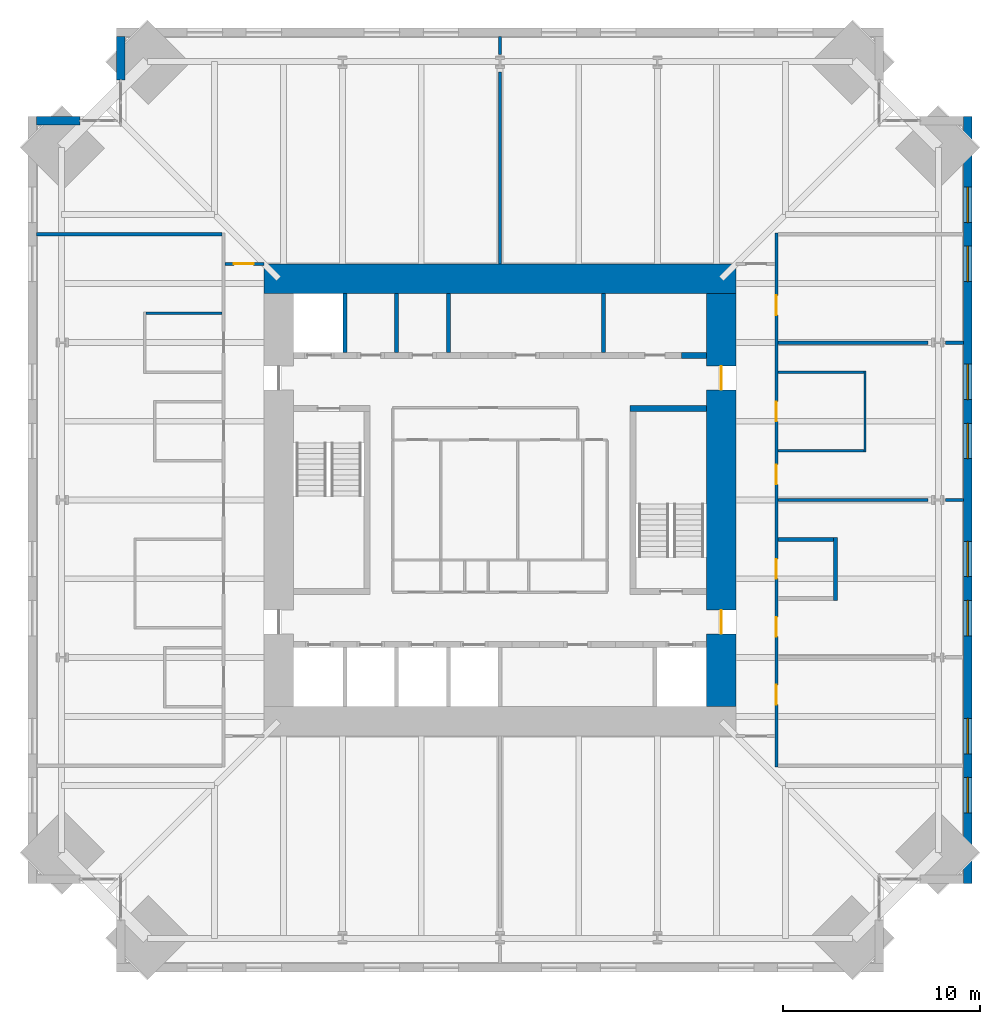
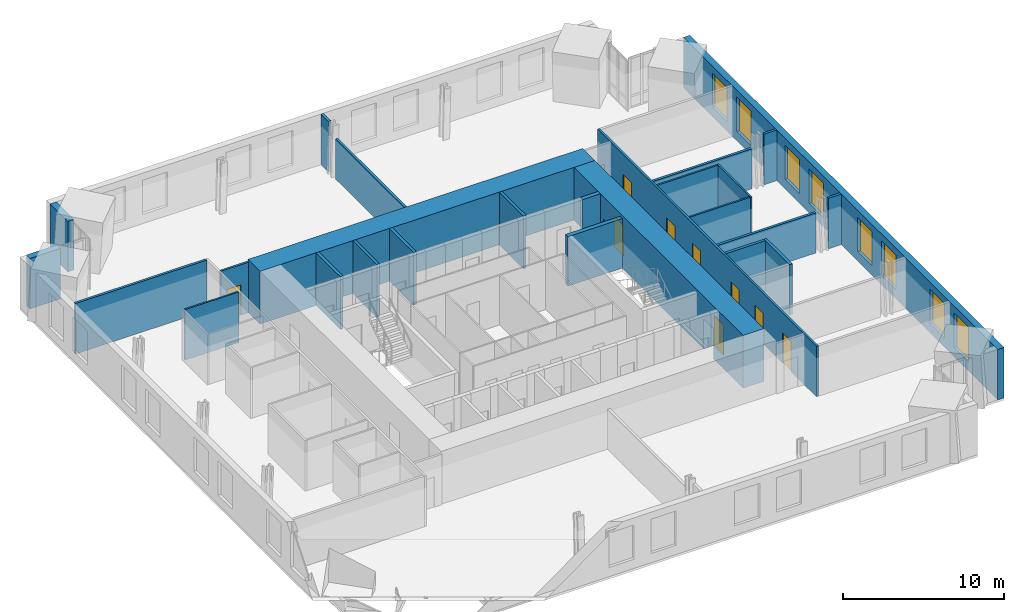
# One storey, part 13 of 15: 26 walls, 9 doors, 8 windows, 17 openings.
"""IFC4 building model written with IfcOpenShell, lengths in metres."""

from ifc_helpers import new_model, si_unit, direction, frame, frame_2d, origin, place, context, subcontext, project, spatial, rectangle, extrude, material, layer, layer_set, type_object, element, fill, save


model = new_model("IFC4")

# Units and contexts
model_context = context("Model", 3, precision=1e-05, world=origin(), true_north=direction((0.0, 1.0)))
body_context = subcontext(model_context, "Body", "Model", "MODEL_VIEW")
ifc_project = project(units=[si_unit("LENGTHUNIT", "METRE"), si_unit("AREAUNIT", "SQUARE_METRE"), si_unit("VOLUMEUNIT", "CUBIC_METRE"), si_unit("PLANEANGLEUNIT", "RADIAN"), si_unit("MASSUNIT", "GRAM", prefix="KILO")], contexts=[model_context])

# Site, building, storey
site_placement = place(None, origin())
site = spatial("IfcSite", under=ifc_project, at=site_placement, CompositionType="ELEMENT")
building_placement = place(site_placement, origin())
building = spatial("IfcBuilding", under=site, at=building_placement, Name="Peilmerk Tower", CompositionType="ELEMENT")
storey_placement = place(building_placement, frame((0.0, 0.0, 213.800048828125)))
storey = spatial("IfcBuildingStorey", under=building, at=storey_placement, Name="L46", CompositionType="ELEMENT", Elevation=213.800048828125)

# Wall, openings, windows
ifc_material_1 = material(Name="Precast concrete C45/55, board-marked finish", Category="concrete")
ifc_layer_1 = layer(ifc_material_1, 0.449951171875)
ifc_layer_set_1 = layer_set([ifc_layer_1], Name="Precast concrete C45/55, board-marked finish")
wall_type_1 = type_object("IfcWallType", Name="EW1 450 precast concrete facade wall, board-marked", PredefinedType="SOLIDWALL", material=ifc_layer_set_1)
wall_1_placement = place(storey_placement, frame((23.77490234375, -19.5, 0.0), z_axis=(0.0, 0.0, 1.0), x_axis=(0.0, 1.0, 0.0)))
wall_1 = element("IfcWall", 1, at=wall_1_placement, inside=storey, type_object=wall_type_1, Name="Facade wall E L46", PredefinedType="SOLIDWALL", context=body_context, shape_type="SweptSolid", body=[
    extrude(rectangle(XDim=39.0, YDim=0.449951171875, at=frame_2d((19.5, 0.0))), origin(), (0.0, 0.0, 1.0), 3.829833984375),
])
opening_1_placement = place(wall_1_placement, frame((3.60009765625, 0.0, 0.699951171875)))
opening_1 = element("IfcOpeningElement", 2, at=opening_1_placement, cuts=wall_1, Name="Opening W1", PredefinedType="OPENING", context=body_context, shape_type="SweptSolid", body=[
    extrude(rectangle(XDim=1.800048828125, YDim=2.60009765625, at=frame_2d((0.89990234375, 1.300048828125))), frame((0.0, 0.23486328125, 0.0), z_axis=(0.0, -1.0, 0.0), x_axis=(1.0, 0.0, 0.0)), (0.0, 0.0, 1.0), 0.469970703125),
])
opening_2_placement = place(wall_1_placement, frame((6.60009765625, 0.0, 0.699951171875)))
opening_2 = element("IfcOpeningElement", 3, at=opening_2_placement, cuts=wall_1, Name="Opening W1", PredefinedType="OPENING", context=body_context, shape_type="SweptSolid", body=[
    extrude(rectangle(XDim=1.800048828125, YDim=2.60009765625, at=frame_2d((0.89990234375, 1.300048828125))), frame((0.0, 0.23486328125, 0.0), z_axis=(0.0, -1.0, 0.0), x_axis=(1.0, 0.0, 0.0)), (0.0, 0.0, 1.0), 0.469970703125),
])
opening_3_placement = place(wall_1_placement, frame((12.60009765625, 0.0, 0.699951171875)))
opening_3 = element("IfcOpeningElement", 4, at=opening_3_placement, cuts=wall_1, Name="Opening W1", PredefinedType="OPENING", context=body_context, shape_type="SweptSolid", body=[
    extrude(rectangle(XDim=1.800048828125, YDim=2.60009765625, at=frame_2d((0.89990234375, 1.300048828125))), frame((0.0, 0.23486328125, 0.0), z_axis=(0.0, -1.0, 0.0), x_axis=(1.0, 0.0, 0.0)), (0.0, 0.0, 1.0), 0.469970703125),
])
opening_4_placement = place(wall_1_placement, frame((15.60009765625, 0.0, 0.699951171875)))
opening_4 = element("IfcOpeningElement", 5, at=opening_4_placement, cuts=wall_1, Name="Opening W1", PredefinedType="OPENING", context=body_context, shape_type="SweptSolid", body=[
    extrude(rectangle(XDim=1.800048828125, YDim=2.60009765625, at=frame_2d((0.89990234375, 1.300048828125))), frame((0.0, 0.23486328125, 0.0), z_axis=(0.0, -1.0, 0.0), x_axis=(1.0, 0.0, 0.0)), (0.0, 0.0, 1.0), 0.469970703125),
])
opening_5_placement = place(wall_1_placement, frame((21.60009765625, 0.0, 0.699951171875)))
opening_5 = element("IfcOpeningElement", 6, at=opening_5_placement, cuts=wall_1, Name="Opening W1", PredefinedType="OPENING", context=body_context, shape_type="SweptSolid", body=[
    extrude(rectangle(XDim=1.800048828125, YDim=2.60009765625, at=frame_2d((0.89990234375, 1.300048828125))), frame((0.0, 0.23486328125, 0.0), z_axis=(0.0, -1.0, 0.0), x_axis=(1.0, 0.0, 0.0)), (0.0, 0.0, 1.0), 0.469970703125),
])
opening_6_placement = place(wall_1_placement, frame((24.60009765625, 0.0, 0.699951171875)))
opening_6 = element("IfcOpeningElement", 7, at=opening_6_placement, cuts=wall_1, Name="Opening W1", PredefinedType="OPENING", context=body_context, shape_type="SweptSolid", body=[
    extrude(rectangle(XDim=1.800048828125, YDim=2.60009765625, at=frame_2d((0.89990234375, 1.300048828125))), frame((0.0, 0.23486328125, 0.0), z_axis=(0.0, -1.0, 0.0), x_axis=(1.0, 0.0, 0.0)), (0.0, 0.0, 1.0), 0.469970703125),
])
opening_7_placement = place(wall_1_placement, frame((30.60009765625, 0.0, 0.699951171875)))
opening_7 = element("IfcOpeningElement", 8, at=opening_7_placement, cuts=wall_1, Name="Opening W1", PredefinedType="OPENING", context=body_context, shape_type="SweptSolid", body=[
    extrude(rectangle(XDim=1.800048828125, YDim=2.60009765625, at=frame_2d((0.89990234375, 1.300048828125))), frame((0.0, 0.23486328125, 0.0), z_axis=(0.0, -1.0, 0.0), x_axis=(1.0, 0.0, 0.0)), (0.0, 0.0, 1.0), 0.469970703125),
])
opening_8_placement = place(wall_1_placement, frame((33.60009765625, 0.0, 0.699951171875)))
opening_8 = element("IfcOpeningElement", 9, at=opening_8_placement, cuts=wall_1, Name="Opening W1", PredefinedType="OPENING", context=body_context, shape_type="SweptSolid", body=[
    extrude(rectangle(XDim=1.800048828125, YDim=2.60009765625, at=frame_2d((0.89990234375, 1.300048828125))), frame((0.0, 0.23486328125, 0.0), z_axis=(0.0, -1.0, 0.0), x_axis=(1.0, 0.0, 0.0)), (0.0, 0.0, 1.0), 0.469970703125),
])
ifc_material_2 = material(Name="Aluminium frame, clear double glazing", Category="aluminium")
window_type = type_object("IfcWindowType", Name="W1 1800x2600 office window", PartitioningType="SINGLE_PANEL", PredefinedType="WINDOW", material=ifc_material_2)
window_1_placement = place(opening_1_placement, origin())
window_1 = element("IfcWindow", 10, at=window_1_placement, inside=storey, type_object=window_type, Name="Window W1 L46", OverallHeight=2.60009765625, OverallWidth=1.800048828125, PartitioningType="SINGLE_PANEL", PredefinedType="WINDOW", context=body_context, shape_type="SweptSolid", body=[
    extrude(rectangle(XDim=1.800048828125, YDim=2.60009765625, at=frame_2d((0.89990234375, 1.300048828125))), frame((0.0, 0.030029296875, 0.0), z_axis=(0.0, -1.0, 0.0), x_axis=(1.0, 0.0, 0.0)), (0.0, 0.0, 1.0), 0.06005859375),
])
fill(opening_1, window_1)
window_2_placement = place(opening_2_placement, origin())
window_2 = element("IfcWindow", 11, at=window_2_placement, inside=storey, type_object=window_type, Name="Window W1 L46", OverallHeight=2.60009765625, OverallWidth=1.800048828125, PartitioningType="SINGLE_PANEL", PredefinedType="WINDOW", context=body_context, shape_type="SweptSolid", body=[
    extrude(rectangle(XDim=1.800048828125, YDim=2.60009765625, at=frame_2d((0.89990234375, 1.300048828125))), frame((0.0, 0.030029296875, 0.0), z_axis=(0.0, -1.0, 0.0), x_axis=(1.0, 0.0, 0.0)), (0.0, 0.0, 1.0), 0.06005859375),
])
fill(opening_2, window_2)
window_3_placement = place(opening_3_placement, origin())
window_3 = element("IfcWindow", 12, at=window_3_placement, inside=storey, type_object=window_type, Name="Window W1 L46", OverallHeight=2.60009765625, OverallWidth=1.800048828125, PartitioningType="SINGLE_PANEL", PredefinedType="WINDOW", context=body_context, shape_type="SweptSolid", body=[
    extrude(rectangle(XDim=1.800048828125, YDim=2.60009765625, at=frame_2d((0.89990234375, 1.300048828125))), frame((0.0, 0.030029296875, 0.0), z_axis=(0.0, -1.0, 0.0), x_axis=(1.0, 0.0, 0.0)), (0.0, 0.0, 1.0), 0.06005859375),
])
fill(opening_3, window_3)
window_4_placement = place(opening_4_placement, origin())
window_4 = element("IfcWindow", 13, at=window_4_placement, inside=storey, type_object=window_type, Name="Window W1 L46", OverallHeight=2.60009765625, OverallWidth=1.800048828125, PartitioningType="SINGLE_PANEL", PredefinedType="WINDOW", context=body_context, shape_type="SweptSolid", body=[
    extrude(rectangle(XDim=1.800048828125, YDim=2.60009765625, at=frame_2d((0.89990234375, 1.300048828125))), frame((0.0, 0.030029296875, 0.0), z_axis=(0.0, -1.0, 0.0), x_axis=(1.0, 0.0, 0.0)), (0.0, 0.0, 1.0), 0.06005859375),
])
fill(opening_4, window_4)
window_5_placement = place(opening_5_placement, origin())
window_5 = element("IfcWindow", 14, at=window_5_placement, inside=storey, type_object=window_type, Name="Window W1 L46", OverallHeight=2.60009765625, OverallWidth=1.800048828125, PartitioningType="SINGLE_PANEL", PredefinedType="WINDOW", context=body_context, shape_type="SweptSolid", body=[
    extrude(rectangle(XDim=1.800048828125, YDim=2.60009765625, at=frame_2d((0.89990234375, 1.300048828125))), frame((0.0, 0.030029296875, 0.0), z_axis=(0.0, -1.0, 0.0), x_axis=(1.0, 0.0, 0.0)), (0.0, 0.0, 1.0), 0.06005859375),
])
fill(opening_5, window_5)
window_6_placement = place(opening_6_placement, origin())
window_6 = element("IfcWindow", 15, at=window_6_placement, inside=storey, type_object=window_type, Name="Window W1 L46", OverallHeight=2.60009765625, OverallWidth=1.800048828125, PartitioningType="SINGLE_PANEL", PredefinedType="WINDOW", context=body_context, shape_type="SweptSolid", body=[
    extrude(rectangle(XDim=1.800048828125, YDim=2.60009765625, at=frame_2d((0.89990234375, 1.300048828125))), frame((0.0, 0.030029296875, 0.0), z_axis=(0.0, -1.0, 0.0), x_axis=(1.0, 0.0, 0.0)), (0.0, 0.0, 1.0), 0.06005859375),
])
fill(opening_6, window_6)
window_7_placement = place(opening_7_placement, origin())
window_7 = element("IfcWindow", 16, at=window_7_placement, inside=storey, type_object=window_type, Name="Window W1 L46", OverallHeight=2.60009765625, OverallWidth=1.800048828125, PartitioningType="SINGLE_PANEL", PredefinedType="WINDOW", context=body_context, shape_type="SweptSolid", body=[
    extrude(rectangle(XDim=1.800048828125, YDim=2.60009765625, at=frame_2d((0.89990234375, 1.300048828125))), frame((0.0, 0.030029296875, 0.0), z_axis=(0.0, -1.0, 0.0), x_axis=(1.0, 0.0, 0.0)), (0.0, 0.0, 1.0), 0.06005859375),
])
fill(opening_7, window_7)
window_8_placement = place(opening_8_placement, origin())
window_8 = element("IfcWindow", 17, at=window_8_placement, inside=storey, type_object=window_type, Name="Window W1 L46", OverallHeight=2.60009765625, OverallWidth=1.800048828125, PartitioningType="SINGLE_PANEL", PredefinedType="WINDOW", context=body_context, shape_type="SweptSolid", body=[
    extrude(rectangle(XDim=1.800048828125, YDim=2.60009765625, at=frame_2d((0.89990234375, 1.300048828125))), frame((0.0, 0.030029296875, 0.0), z_axis=(0.0, -1.0, 0.0), x_axis=(1.0, 0.0, 0.0)), (0.0, 0.0, 1.0), 0.06005859375),
])
fill(opening_8, window_8)

# Walls
for number, where, z_axis, x_axis, name in (
    (18, (-19.27490234375, 21.353759765625, 0.0), (0.0, 0.0, 1.0), (0.0, 1.0, 0.0), "Facade wall NWA L46"),
    (19, (-21.353759765625, 19.27490234375, 0.0), (0.0, 0.0, 1.0), (-1.0, 0.0, 0.0), "Facade wall NWB L46"),
):
    element("IfcWall", number, at=place(storey_placement, frame(where, z_axis=z_axis, x_axis=x_axis)), inside=storey, type_object=wall_type_1, Name=name, PredefinedType="SOLIDWALL", context=body_context, shape_type="SweptSolid", body=[
        extrude(rectangle(XDim=2.1962890625, YDim=0.449951171875, at=frame_2d((1.09814453125, 0.0))), origin(), (0.0, 0.0, 1.0), 3.829833984375),
    ])

# Wall, openings, doors
ifc_material_3 = material(Name="Calcium silicate block", Category="masonry")
ifc_layer_2 = layer(ifc_material_3, 0.14990234375)
ifc_layer_set_2 = layer_set([ifc_layer_2], Name="Calcium silicate block")
wall_type_2 = type_object("IfcWallType", Name="IW1 150 corridor partition, EI 60", PredefinedType="PARTITIONING", material=ifc_layer_set_2)
wall_2_placement = place(storey_placement, frame((14.050048828125, -13.574951171875, 0.0), z_axis=(0.0, 0.0, 1.0), x_axis=(0.0, 1.0, 0.0)))
wall_2 = element("IfcWall", 20, at=wall_2_placement, inside=storey, type_object=wall_type_2, Name="Corridor wall E L46", PredefinedType="PARTITIONING", context=body_context, shape_type="SweptSolid", body=[
    extrude(rectangle(XDim=27.14990234375, YDim=0.14990234375, at=frame_2d((13.574951171875, 0.0))), origin(), (0.0, 0.0, 1.0), 3.829833984375),
])
opening_9_placement = place(wall_2_placement, frame((3.175048828125, 0.0, 0.0)))
opening_9 = element("IfcOpeningElement", 21, at=opening_9_placement, cuts=wall_2, Name="Opening D1", PredefinedType="OPENING", context=body_context, shape_type="SweptSolid", body=[
    extrude(rectangle(XDim=1.0, YDim=2.300048828125, at=frame_2d((0.5, 1.14990234375))), frame((0.0, 0.0849609375, 0.0), z_axis=(0.0, -1.0, 0.0), x_axis=(1.0, 0.0, 0.0)), (0.0, 0.0, 1.0), 0.169921875),
])
opening_10_placement = place(wall_2_placement, frame((6.625, 0.0, 0.0)))
opening_10 = element("IfcOpeningElement", 22, at=opening_10_placement, cuts=wall_2, Name="Opening D1", PredefinedType="OPENING", context=body_context, shape_type="SweptSolid", body=[
    extrude(rectangle(XDim=1.0, YDim=2.300048828125, at=frame_2d((0.5, 1.14990234375))), frame((0.0, 0.0849609375, 0.0), z_axis=(0.0, -1.0, 0.0), x_axis=(1.0, 0.0, 0.0)), (0.0, 0.0, 1.0), 0.169921875),
])
opening_11_placement = place(wall_2_placement, frame((14.375, 0.0, 0.0)))
opening_11 = element("IfcOpeningElement", 23, at=opening_11_placement, cuts=wall_2, Name="Opening D1", PredefinedType="OPENING", context=body_context, shape_type="SweptSolid", body=[
    extrude(rectangle(XDim=1.0, YDim=2.300048828125, at=frame_2d((0.5, 1.14990234375))), frame((0.0, 0.0849609375, 0.0), z_axis=(0.0, -1.0, 0.0), x_axis=(1.0, 0.0, 0.0)), (0.0, 0.0, 1.0), 0.169921875),
])
opening_12_placement = place(wall_2_placement, frame((22.97509765625, 0.0, 0.0)))
opening_12 = element("IfcOpeningElement", 24, at=opening_12_placement, cuts=wall_2, Name="Opening D1", PredefinedType="OPENING", context=body_context, shape_type="SweptSolid", body=[
    extrude(rectangle(XDim=1.0, YDim=2.300048828125, at=frame_2d((0.5, 1.14990234375))), frame((0.0, 0.0849609375, 0.0), z_axis=(0.0, -1.0, 0.0), x_axis=(1.0, 0.0, 0.0)), (0.0, 0.0, 1.0), 0.169921875),
])
opening_13_placement = place(wall_2_placement, frame((9.574951171875, 0.0, 0.0)))
opening_13 = element("IfcOpeningElement", 25, at=opening_13_placement, cuts=wall_2, Name="Opening D1", PredefinedType="OPENING", context=body_context, shape_type="SweptSolid", body=[
    extrude(rectangle(XDim=1.0, YDim=2.300048828125, at=frame_2d((0.5, 1.14990234375))), frame((0.0, 0.0849609375, 0.0), z_axis=(0.0, -1.0, 0.0), x_axis=(1.0, 0.0, 0.0)), (0.0, 0.0, 1.0), 0.169921875),
])
opening_14_placement = place(wall_2_placement, frame((17.574951171875, 0.0, 0.0)))
opening_14 = element("IfcOpeningElement", 26, at=opening_14_placement, cuts=wall_2, Name="Opening D1", PredefinedType="OPENING", context=body_context, shape_type="SweptSolid", body=[
    extrude(rectangle(XDim=1.0, YDim=2.300048828125, at=frame_2d((0.5, 1.14990234375))), frame((0.0, 0.0849609375, 0.0), z_axis=(0.0, -1.0, 0.0), x_axis=(1.0, 0.0, 0.0)), (0.0, 0.0, 1.0), 0.169921875),
])
ifc_material_4 = material(Name="Timber door in steel frame", Category="steel")
door_type_1 = type_object("IfcDoorType", Name="D1 1000x2300 room door, EI2 30", OperationType="SINGLE_SWING_LEFT", PredefinedType="DOOR", material=ifc_material_4)
door_1_placement = place(opening_9_placement, frame((1.0, 0.0, 0.0), z_axis=(0.0, 0.0, 1.0), x_axis=(-1.0, 0.0, 0.0)))
door_1 = element("IfcDoor", 27, at=door_1_placement, inside=storey, type_object=door_type_1, Name="Door Project room L46", OperationType="SINGLE_SWING_LEFT", OverallHeight=2.300048828125, OverallWidth=1.0, PredefinedType="DOOR", context=body_context, shape_type="SweptSolid", body=[
    extrude(rectangle(XDim=1.0, YDim=2.300048828125, at=frame_2d((0.5, 1.14990234375))), frame((0.0, 0.02490234375, 0.0), z_axis=(0.0, -1.0, 0.0), x_axis=(1.0, 0.0, 0.0)), (0.0, 0.0, 1.0), 0.050048828125),
])
fill(opening_9, door_1)
door_2_placement = place(opening_10_placement, frame((1.0, 0.0, 0.0), z_axis=(0.0, 0.0, 1.0), x_axis=(-1.0, 0.0, 0.0)))
door_2 = element("IfcDoor", 28, at=door_2_placement, inside=storey, type_object=door_type_1, Name="Door Office L46", OperationType="SINGLE_SWING_LEFT", OverallHeight=2.300048828125, OverallWidth=1.0, PredefinedType="DOOR", context=body_context, shape_type="SweptSolid", body=[
    extrude(rectangle(XDim=1.0, YDim=2.300048828125, at=frame_2d((0.5, 1.14990234375))), frame((0.0, 0.02490234375, 0.0), z_axis=(0.0, -1.0, 0.0), x_axis=(1.0, 0.0, 0.0)), (0.0, 0.0, 1.0), 0.050048828125),
])
fill(opening_10, door_2)
door_3_placement = place(opening_11_placement, frame((1.0, 0.0, 0.0), z_axis=(0.0, 0.0, 1.0), x_axis=(-1.0, 0.0, 0.0)))
door_3 = element("IfcDoor", 29, at=door_3_placement, inside=storey, type_object=door_type_1, Name="Door Office L46", OperationType="SINGLE_SWING_LEFT", OverallHeight=2.300048828125, OverallWidth=1.0, PredefinedType="DOOR", context=body_context, shape_type="SweptSolid", body=[
    extrude(rectangle(XDim=1.0, YDim=2.300048828125, at=frame_2d((0.5, 1.14990234375))), frame((0.0, 0.02490234375, 0.0), z_axis=(0.0, -1.0, 0.0), x_axis=(1.0, 0.0, 0.0)), (0.0, 0.0, 1.0), 0.050048828125),
])
fill(opening_11, door_3)
door_4_placement = place(opening_12_placement, frame((1.0, 0.0, 0.0), z_axis=(0.0, 0.0, 1.0), x_axis=(-1.0, 0.0, 0.0)))
door_4 = element("IfcDoor", 30, at=door_4_placement, inside=storey, type_object=door_type_1, Name="Door Wellness room L46", OperationType="SINGLE_SWING_LEFT", OverallHeight=2.300048828125, OverallWidth=1.0, PredefinedType="DOOR", context=body_context, shape_type="SweptSolid", body=[
    extrude(rectangle(XDim=1.0, YDim=2.300048828125, at=frame_2d((0.5, 1.14990234375))), frame((0.0, 0.02490234375, 0.0), z_axis=(0.0, -1.0, 0.0), x_axis=(1.0, 0.0, 0.0)), (0.0, 0.0, 1.0), 0.050048828125),
])
fill(opening_12, door_4)
door_5_placement = place(opening_13_placement, frame((1.0, 0.0, 0.0), z_axis=(0.0, 0.0, 1.0), x_axis=(-1.0, 0.0, 0.0)))
door_5 = element("IfcDoor", 31, at=door_5_placement, inside=storey, type_object=door_type_1, Name="Door Print room L46", OperationType="SINGLE_SWING_LEFT", OverallHeight=2.300048828125, OverallWidth=1.0, PredefinedType="DOOR", context=body_context, shape_type="SweptSolid", body=[
    extrude(rectangle(XDim=1.0, YDim=2.300048828125, at=frame_2d((0.5, 1.14990234375))), frame((0.0, 0.02490234375, 0.0), z_axis=(0.0, -1.0, 0.0), x_axis=(1.0, 0.0, 0.0)), (0.0, 0.0, 1.0), 0.050048828125),
])
fill(opening_13, door_5)
door_6_placement = place(opening_14_placement, frame((1.0, 0.0, 0.0), z_axis=(0.0, 0.0, 1.0), x_axis=(-1.0, 0.0, 0.0)))
door_6 = element("IfcDoor", 32, at=door_6_placement, inside=storey, type_object=door_type_1, Name="Door Meeting room L46", OperationType="SINGLE_SWING_LEFT", OverallHeight=2.300048828125, OverallWidth=1.0, PredefinedType="DOOR", context=body_context, shape_type="SweptSolid", body=[
    extrude(rectangle(XDim=1.0, YDim=2.300048828125, at=frame_2d((0.5, 1.14990234375))), frame((0.0, 0.02490234375, 0.0), z_axis=(0.0, -1.0, 0.0), x_axis=(1.0, 0.0, 0.0)), (0.0, 0.0, 1.0), 0.050048828125),
])
fill(opening_14, door_6)

# Wall, opening, door
wall_3_placement = place(storey_placement, frame((-13.97509765625, 12.0, 0.0), z_axis=(0.0, 0.0, 1.0), x_axis=(1.0, 0.0, 0.0)))
wall_3 = element("IfcWall", 33, at=wall_3_placement, inside=storey, type_object=wall_type_2, Name="Corridor wall NW L46", PredefinedType="PARTITIONING", context=body_context, shape_type="SweptSolid", body=[
    extrude(rectangle(XDim=1.97509765625, YDim=0.14990234375, at=frame_2d((0.987548828125, 0.0))), origin(), (0.0, 0.0, 1.0), 3.829833984375),
])
opening_15_placement = place(wall_3_placement, frame((0.449951171875, 0.0, 0.0)))
opening_15 = element("IfcOpeningElement", 34, at=opening_15_placement, cuts=wall_3, Name="Opening D1", PredefinedType="OPENING", context=body_context, shape_type="SweptSolid", body=[
    extrude(rectangle(XDim=1.0, YDim=2.300048828125, at=frame_2d((0.5, 1.14990234375))), frame((0.0, 0.0849609375, 0.0), z_axis=(0.0, -1.0, 0.0), x_axis=(1.0, 0.0, 0.0)), (0.0, 0.0, 1.0), 0.169921875),
])
door_7_placement = place(opening_15_placement, origin())
door_7 = element("IfcDoor", 35, at=door_7_placement, inside=storey, type_object=door_type_1, Name="Door Open workspace L46", OperationType="SINGLE_SWING_LEFT", OverallHeight=2.300048828125, OverallWidth=1.0, PredefinedType="DOOR", context=body_context, shape_type="SweptSolid", body=[
    extrude(rectangle(XDim=1.0, YDim=2.300048828125, at=frame_2d((0.5, 1.14990234375))), frame((0.0, 0.02490234375, 0.0), z_axis=(0.0, -1.0, 0.0), x_axis=(1.0, 0.0, 0.0)), (0.0, 0.0, 1.0), 0.050048828125),
])
fill(opening_15, door_7)

# Walls
ifc_layer_3 = layer(ifc_material_3, 0.199951171875)
ifc_layer_set_3 = layer_set([ifc_layer_3], Name="Calcium silicate block")
wall_type_3 = type_object("IfcWallType", Name="IW2 200 room separating wall, EI 120", PredefinedType="PARTITIONING", material=ifc_layer_set_3)
wall_4_placement = place(storey_placement, frame((17.050048828125, -5.10009765625, 0.0), z_axis=(0.0, 0.0, 1.0), x_axis=(0.0, 1.0, 0.0)))
element("IfcWall", 36, at=wall_4_placement, inside=storey, type_object=wall_type_3, Name="Room separating wall Print room L46", PredefinedType="PARTITIONING", context=body_context, shape_type="SweptSolid", body=[
    extrude(rectangle(XDim=3.2001953125, YDim=0.199951171875, at=frame_2d((1.60009765625, 0.0))), origin(), (0.0, 0.0, 1.0), 3.829833984375),
])
wall_5_placement = place(storey_placement, frame((14.125, -2.0, 0.0), z_axis=(0.0, 0.0, 1.0), x_axis=(1.0, 0.0, 0.0)))
element("IfcWall", 37, at=wall_5_placement, inside=storey, type_object=wall_type_3, Name="Room separating wall Print room L46", PredefinedType="PARTITIONING", context=body_context, shape_type="SweptSolid", body=[
    extrude(rectangle(XDim=2.824951171875, YDim=0.199951171875, at=frame_2d((1.41259765625, 0.0))), origin(), (0.0, 0.0, 1.0), 3.829833984375),
])
ifc_material_5 = material(Name="Concrete C35/45", Category="concrete")
ifc_layer_4 = layer(ifc_material_5, 0.300048828125)
ifc_layer_set_4 = layer_set([ifc_layer_4], Name="Concrete C35/45")
wall_type_4 = type_object("IfcWallType", Name="IW3 300 concrete stair enclosure wall, EI 120", PredefinedType="SOLIDWALL", material=ifc_layer_set_4)
wall_6_placement = place(storey_placement, frame((6.60009765625, 4.64990234375, 0.0), z_axis=(0.0, 0.0, 1.0), x_axis=(1.0, 0.0, 0.0)))
element("IfcWall", 38, at=wall_6_placement, inside=storey, type_object=wall_type_4, Name="Stair 2 enclosure L46", PredefinedType="SOLIDWALL", context=body_context, shape_type="SweptSolid", body=[
    extrude(rectangle(XDim=3.89990234375, YDim=0.300048828125, at=frame_2d((1.949951171875, 0.0))), origin(), (0.0, 0.0, 1.0), 3.75),
])
ifc_material_6 = material(Name="Plasterboard on steel studs, double boarded with mineral wool", Category="steel")
ifc_layer_5 = layer(ifc_material_6, 0.125)
ifc_layer_set_5 = layer_set([ifc_layer_5], Name="Plasterboard on steel studs, double boarded with mineral wool")
wall_type_5 = type_object("IfcWallType", Name="IW7 125 acoustic partition, EI 30", PredefinedType="PARTITIONING", material=ifc_layer_set_5)
wall_7_placement = place(storey_placement, frame((18.550048828125, 2.4375, 0.0), z_axis=(0.0, 0.0, 1.0), x_axis=(0.0, 1.0, 0.0)))
element("IfcWall", 39, at=wall_7_placement, inside=storey, type_object=wall_type_5, Name="Acoustic partition Meeting room L46", PredefinedType="PARTITIONING", context=body_context, shape_type="SweptSolid", body=[
    extrude(rectangle(XDim=4.125, YDim=0.125, at=frame_2d((2.0625, 0.0))), origin(), (0.0, 0.0, 1.0), 3.829833984375),
])
for number, where, z_axis, x_axis, name in (
    (40, (14.125, 2.5, 0.0), (0.0, 0.0, 1.0), (1.0, 0.0, 0.0), "Acoustic partition Meeting room L46"),
    (41, (14.125, 6.5, 0.0), (0.0, 0.0, 1.0), (1.0, 0.0, 0.0), "Acoustic partition Meeting room L46"),
):
    element("IfcWall", number, at=place(storey_placement, frame(where, z_axis=z_axis, x_axis=x_axis)), inside=storey, type_object=wall_type_5, Name=name, PredefinedType="PARTITIONING", context=body_context, shape_type="SweptSolid", body=[
        extrude(rectangle(XDim=4.362548828125, YDim=0.125, at=frame_2d((2.18115234375, 0.0))), origin(), (0.0, 0.0, 1.0), 3.829833984375),
    ])
wall_8_placement = place(storey_placement, frame((-14.125, 9.5, 0.0), z_axis=(0.0, 0.0, 1.0), x_axis=(-1.0, 0.0, 0.0)))
element("IfcWall", 42, at=wall_8_placement, inside=storey, type_object=wall_type_5, Name="Acoustic partition Pantry L46", PredefinedType="PARTITIONING", context=body_context, shape_type="SweptSolid", body=[
    extrude(rectangle(XDim=3.862548828125, YDim=0.125, at=frame_2d((1.93115234375, 0.0))), origin(), (0.0, 0.0, 1.0), 3.829833984375),
])
ifc_layer_6 = layer(ifc_material_3, 0.175048828125)
ifc_layer_set_6 = layer_set([ifc_layer_6], Name="Calcium silicate block")
wall_type_6 = type_object("IfcWallType", Name="IW8 175 tenant separating wall, EI 60", PredefinedType="PARTITIONING", material=ifc_layer_set_6)
wall_9_placement = place(storey_placement, frame((-23.550048828125, 13.5, 0.0), z_axis=(0.0, 0.0, 1.0), x_axis=(1.0, 0.0, 0.0)))
element("IfcWall", 43, at=wall_9_placement, inside=storey, type_object=wall_type_6, Name="Tenant separating wall NW L46", PredefinedType="PARTITIONING", context=body_context, shape_type="SweptSolid", body=[
    extrude(rectangle(XDim=9.425048828125, YDim=0.175048828125, at=frame_2d((4.71240234375, 0.0))), origin(), (0.0, 0.0, 1.0), 3.829833984375),
])
wall_10_placement = place(storey_placement, frame((0.0, 12.0, 0.0), z_axis=(0.0, 0.0, 1.0), x_axis=(0.0, 1.0, 0.0)))
element("IfcWall", 44, at=wall_10_placement, inside=storey, type_object=wall_type_6, Name="Tenant separating wall N1 L46", PredefinedType="PARTITIONING", context=body_context, shape_type="SweptSolid", body=[
    extrude(rectangle(XDim=9.75048828125, YDim=0.175048828125, at=frame_2d((4.875244140625, 0.0))), origin(), (0.0, 0.0, 1.0), 3.0400390625),
])
wall_11_placement = place(storey_placement, frame((0.0, 22.6396484375, 0.0), z_axis=(0.0, 0.0, 1.0), x_axis=(0.0, 1.0, 0.0)))
element("IfcWall", 45, at=wall_11_placement, inside=storey, type_object=wall_type_6, Name="Tenant separating wall N1b L46", PredefinedType="PARTITIONING", context=body_context, shape_type="SweptSolid", body=[
    extrude(rectangle(XDim=0.910400390625, YDim=0.175048828125, at=frame_2d((0.455078125, 0.0))), origin(), (0.0, 0.0, 1.0), 3.829833984375),
])
wall_12_placement = place(storey_placement, frame((14.125, 0.0, 0.0), z_axis=(0.0, 0.0, 1.0), x_axis=(1.0, 0.0, 0.0)))
element("IfcWall", 46, at=wall_12_placement, inside=storey, type_object=wall_type_6, Name="Tenant separating wall E2 L46", PredefinedType="PARTITIONING", context=body_context, shape_type="SweptSolid", body=[
    extrude(rectangle(XDim=7.62548828125, YDim=0.175048828125, at=frame_2d((3.812744140625, 0.0))), origin(), (0.0, 0.0, 1.0), 3.0400390625),
])
wall_13_placement = place(storey_placement, frame((22.6396484375, 0.0, 0.0), z_axis=(0.0, 0.0, 1.0), x_axis=(1.0, 0.0, 0.0)))
element("IfcWall", 47, at=wall_13_placement, inside=storey, type_object=wall_type_6, Name="Tenant separating wall E2b L46", PredefinedType="PARTITIONING", context=body_context, shape_type="SweptSolid", body=[
    extrude(rectangle(XDim=0.910400390625, YDim=0.175048828125, at=frame_2d((0.455078125, 0.0))), origin(), (0.0, 0.0, 1.0), 3.829833984375),
])
wall_14_placement = place(storey_placement, frame((14.125, 8.0, 0.0), z_axis=(0.0, 0.0, 1.0), x_axis=(1.0, 0.0, 0.0)))
element("IfcWall", 48, at=wall_14_placement, inside=storey, type_object=wall_type_6, Name="Tenant separating wall E3 L46", PredefinedType="PARTITIONING", context=body_context, shape_type="SweptSolid", body=[
    extrude(rectangle(XDim=7.62548828125, YDim=0.175048828125, at=frame_2d((3.812744140625, 0.0))), origin(), (0.0, 0.0, 1.0), 3.0400390625),
])
wall_15_placement = place(storey_placement, frame((22.6396484375, 8.0, 0.0), z_axis=(0.0, 0.0, 1.0), x_axis=(1.0, 0.0, 0.0)))
element("IfcWall", 49, at=wall_15_placement, inside=storey, type_object=wall_type_6, Name="Tenant separating wall E3b L46", PredefinedType="PARTITIONING", context=body_context, shape_type="SweptSolid", body=[
    extrude(rectangle(XDim=0.910400390625, YDim=0.175048828125, at=frame_2d((0.455078125, 0.0))), origin(), (0.0, 0.0, 1.0), 3.829833984375),
])
ifc_layer_7 = layer(ifc_material_3, 0.199951171875)
ifc_layer_set_7 = layer_set([ifc_layer_7], Name="Calcium silicate block")
wall_type_7 = type_object("IfcWallType", Name="SH1 200 shaft dividing wall, EI 120", PredefinedType="PARTITIONING", material=ifc_layer_set_7)
for number, where, z_axis, x_axis, name in (
    (50, (-7.875, 7.5, 0.0), (0.0, 0.0, 1.0), (0.0, 1.0, 0.0), "Shaft wall N FL1 L46"),
    (51, (-5.25, 7.5, 0.0), (0.0, 0.0, 1.0), (0.0, 1.0, 0.0), "Shaft wall N A1 L46"),
    (52, (-2.625, 7.5, 0.0), (0.0, 0.0, 1.0), (0.0, 1.0, 0.0), "Shaft wall N A2 L46"),
    (53, (5.25, 7.5, 0.0), (0.0, 0.0, 1.0), (0.0, 1.0, 0.0), "Shaft wall N S2 L46"),
):
    element("IfcWall", number, at=place(storey_placement, frame(where, z_axis=z_axis, x_axis=x_axis)), inside=storey, type_object=wall_type_7, Name=name, PredefinedType="PARTITIONING", context=body_context, shape_type="SweptSolid", body=[
        extrude(rectangle(XDim=3.0, YDim=0.199951171875, at=frame_2d((1.5, 0.0))), origin(), (0.0, 0.0, 1.0), 4.0),
    ])
ifc_material_7 = material(Name="Concrete C55/67", Category="concrete")
ifc_layer_8 = layer(ifc_material_7, 1.5)
ifc_layer_set_8 = layer_set([ifc_layer_8], Name="Concrete C55/67")
wall_type_8 = type_object("IfcWallType", Name="SW1 1500 core wall", PredefinedType="SHEAR", material=ifc_layer_set_8)
wall_16_placement = place(storey_placement, frame((-12.0, 11.25, 0.0), z_axis=(0.0, 0.0, 1.0), x_axis=(1.0, 0.0, 0.0)))
element("IfcWall", 54, at=wall_16_placement, inside=storey, type_object=wall_type_8, Name="Core wall N L46", PredefinedType="SHEAR", context=body_context, shape_type="SweptSolid", body=[
    extrude(rectangle(XDim=24.0, YDim=1.5, at=frame_2d((12.0, 0.0))), origin(), (0.0, 0.0, 1.0), 4.0),
])

# Wall, openings, doors
wall_17_placement = place(storey_placement, frame((11.25, 10.5, 0.0), z_axis=(0.0, 0.0, 1.0), x_axis=(0.0, -1.0, 0.0)))
wall_17 = element("IfcWall", 55, at=wall_17_placement, inside=storey, type_object=wall_type_8, Name="Core wall E L46", PredefinedType="SHEAR", context=body_context, shape_type="SweptSolid", body=[
    extrude(rectangle(XDim=21.0, YDim=1.5, at=frame_2d((10.5, 0.0))), origin(), (0.0, 0.0, 1.0), 4.0),
])
opening_16_placement = place(wall_17_placement, frame((3.699951171875, 0.0, 0.0)))
opening_16 = element("IfcOpeningElement", 56, at=opening_16_placement, cuts=wall_17, Name="Opening D3", PredefinedType="OPENING", context=body_context, shape_type="SweptSolid", body=[
    extrude(rectangle(XDim=1.199951171875, YDim=2.300048828125, at=frame_2d((0.60009765625, 1.14990234375))), frame((0.0, 0.760009765625, 0.0), z_axis=(0.0, -1.0, 0.0), x_axis=(1.0, 0.0, 0.0)), (0.0, 0.0, 1.0), 1.52001953125),
])
opening_17_placement = place(wall_17_placement, frame((16.10009765625, 0.0, 0.0)))
opening_17 = element("IfcOpeningElement", 57, at=opening_17_placement, cuts=wall_17, Name="Opening D3", PredefinedType="OPENING", context=body_context, shape_type="SweptSolid", body=[
    extrude(rectangle(XDim=1.199951171875, YDim=2.300048828125, at=frame_2d((0.60009765625, 1.14990234375))), frame((0.0, 0.760009765625, 0.0), z_axis=(0.0, -1.0, 0.0), x_axis=(1.0, 0.0, 0.0)), (0.0, 0.0, 1.0), 1.52001953125),
])
ifc_material_8 = material(Name="Steel door in steel frame", Category="steel")
door_type_2 = type_object("IfcDoorType", Name="D3 1200x2300 core door, EI2 60", OperationType="SINGLE_SWING_LEFT", PredefinedType="DOOR", material=ifc_material_8)
door_8_placement = place(opening_16_placement, frame((1.199951171875, 0.0, 0.0), z_axis=(0.0, 0.0, 1.0), x_axis=(-1.0, 0.0, 0.0)))
door_8 = element("IfcDoor", 58, at=door_8_placement, inside=storey, type_object=door_type_2, Name="Core door L46", OperationType="SINGLE_SWING_LEFT", OverallHeight=2.300048828125, OverallWidth=1.199951171875, PredefinedType="DOOR", context=body_context, shape_type="SweptSolid", body=[
    extrude(rectangle(XDim=1.199951171875, YDim=2.300048828125, at=frame_2d((0.60009765625, 1.14990234375))), frame((0.0, 0.02490234375, 0.0), z_axis=(0.0, -1.0, 0.0), x_axis=(1.0, 0.0, 0.0)), (0.0, 0.0, 1.0), 0.050048828125),
])
fill(opening_16, door_8)
door_9_placement = place(opening_17_placement, frame((1.199951171875, 0.0, 0.0), z_axis=(0.0, 0.0, 1.0), x_axis=(-1.0, 0.0, 0.0)))
door_9 = element("IfcDoor", 59, at=door_9_placement, inside=storey, type_object=door_type_2, Name="Core door L46", OperationType="SINGLE_SWING_LEFT", OverallHeight=2.300048828125, OverallWidth=1.199951171875, PredefinedType="DOOR", context=body_context, shape_type="SweptSolid", body=[
    extrude(rectangle(XDim=1.199951171875, YDim=2.300048828125, at=frame_2d((0.60009765625, 1.14990234375))), frame((0.0, 0.02490234375, 0.0), z_axis=(0.0, -1.0, 0.0), x_axis=(1.0, 0.0, 0.0)), (0.0, 0.0, 1.0), 0.050048828125),
])
fill(opening_17, door_9)

# Wall
ifc_layer_9 = layer(ifc_material_7, 0.300048828125)
ifc_layer_set_9 = layer_set([ifc_layer_9], Name="Concrete C55/67")
wall_type_9 = type_object("IfcWallType", Name="SW2 300 lift bank pier", PredefinedType="SHEAR", material=ifc_layer_set_9)
wall_18_placement = place(storey_placement, frame((9.22509765625, 7.35009765625, 0.0), z_axis=(0.0, 0.0, 1.0), x_axis=(1.0, 0.0, 0.0)))
element("IfcWall", 60, at=wall_18_placement, inside=storey, type_object=wall_type_9, Name="Lift bank pier N L46", PredefinedType="SHEAR", context=body_context, shape_type="SweptSolid", body=[
    extrude(rectangle(XDim=1.27490234375, YDim=0.300048828125, at=frame_2d((0.637451171875, 0.0))), origin(), (0.0, 0.0, 1.0), 4.0),
])

save(model, "model.ifc")
